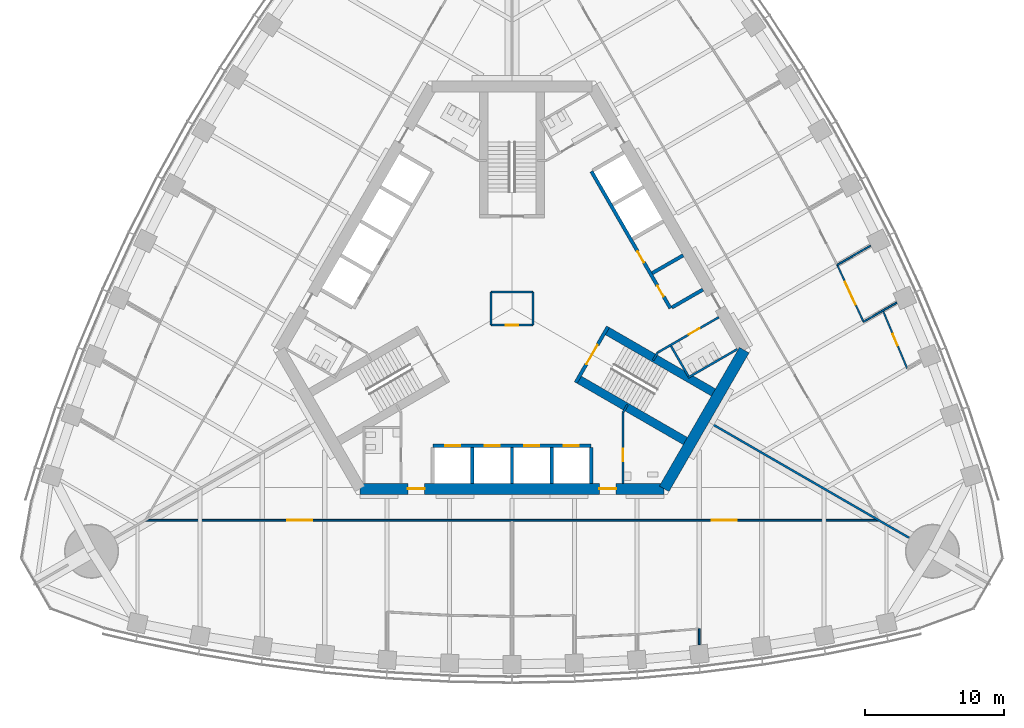
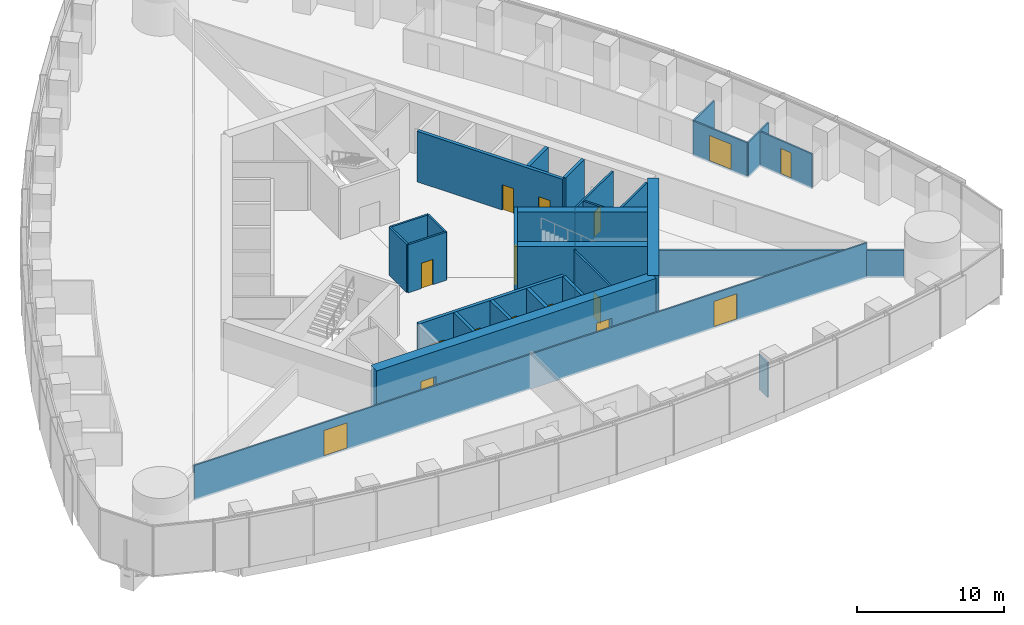
# One storey, part 12 of 19: 30 walls, 16 doors, 16 openings.
"""IFC4 building model written with IfcOpenShell, lengths in metres."""

from ifc_helpers import new_model, si_unit, direction, frame, frame_2d, origin, place, context, subcontext, project, spatial, rectangle, extrude, material, layer, layer_set, type_object, element, fill, save


model = new_model("IFC4")

# Units and contexts
model_context = context("Model", 3, precision=1e-05, world=origin(), true_north=direction((0.0, 1.0)))
body_context = subcontext(model_context, "Body", "Model", "MODEL_VIEW")
ifc_project = project(units=[si_unit("LENGTHUNIT", "METRE"), si_unit("AREAUNIT", "SQUARE_METRE"), si_unit("VOLUMEUNIT", "CUBIC_METRE"), si_unit("PLANEANGLEUNIT", "RADIAN"), si_unit("MASSUNIT", "GRAM", prefix="KILO")], contexts=[model_context])

# Site, building, storey
site_placement = place(None, origin())
site = spatial("IfcSite", under=ifc_project, at=site_placement, CompositionType="ELEMENT")
building_placement = place(site_placement, origin())
building = spatial("IfcBuilding", under=site, at=building_placement, Name="Trefoil Bronze Tower", CompositionType="ELEMENT")
storey_placement = place(building_placement, frame((0.0, 0.0, 119.89990234375)))
storey = spatial("IfcBuildingStorey", under=building, at=storey_placement, Name="L27", CompositionType="ELEMENT", Elevation=119.89990234375)

# Wall, openings, doors
ifc_material_1 = material(Name="Concrete B80", Category="concrete")
ifc_layer_1 = layer(ifc_material_1, 0.800048828125)
ifc_layer_set_1 = layer_set([ifc_layer_1], Name="Core wall 800")
wall_type_1 = type_object("IfcWallType", Name="Core wall 800", PredefinedType="SHEAR", material=ifc_layer_set_1)
wall_1_placement = place(storey_placement, frame((-10.9697265625, -13.0, 0.0), z_axis=(0.0, 0.0, 1.0), x_axis=(1.0, 0.0, 0.0)))
wall_1 = element("IfcWall", 1, at=wall_1_placement, inside=storey, type_object=wall_type_1, Name="Core long wall 1 L27", PredefinedType="SHEAR", context=body_context, shape_type="SweptSolid", body=[
    extrude(rectangle(XDim=21.939453125, YDim=0.800048828125, at=frame_2d((10.9697265625, 0.0))), origin(), (0.0, 0.0, 1.0), 4.2001953125),
])
opening_1_placement = place(wall_1_placement, frame((17.269775390625, 0.0, 0.0)))
opening_1 = element("IfcOpeningElement", 2, at=opening_1_placement, cuts=wall_1, Name="Opening D2", PredefinedType="OPENING", context=body_context, shape_type="SweptSolid", body=[
    extrude(rectangle(XDim=1.199951171875, YDim=2.10009765625, at=frame_2d((0.60009765625, 1.050048828125))), frame((0.0, 0.409912109375, 0.0), z_axis=(0.0, -1.0, 0.0), x_axis=(1.0, 0.0, 0.0)), (0.0, 0.0, 1.0), 0.820068359375),
])
opening_2_placement = place(wall_1_placement, frame((3.4697265625, 0.0, 0.0)))
opening_2 = element("IfcOpeningElement", 3, at=opening_2_placement, cuts=wall_1, Name="Opening D2", PredefinedType="OPENING", context=body_context, shape_type="SweptSolid", body=[
    extrude(rectangle(XDim=1.199951171875, YDim=2.10009765625, at=frame_2d((0.60009765625, 1.050048828125))), frame((0.0, 0.409912109375, 0.0), z_axis=(0.0, -1.0, 0.0), x_axis=(1.0, 0.0, 0.0)), (0.0, 0.0, 1.0), 0.820068359375),
])
ifc_material_2 = material(Name="Steel door", Category="steel")
door_type_1 = type_object("IfcDoorType", Name="Lobby door 1200", OperationType="SINGLE_SWING_RIGHT", PredefinedType="DOOR", material=ifc_material_2)
door_1_placement = place(opening_1_placement, origin())
door_1 = element("IfcDoor", 4, at=door_1_placement, inside=storey, type_object=door_type_1, Name="Lobby door F1+ L27", OperationType="SINGLE_SWING_RIGHT", OverallHeight=2.10009765625, OverallWidth=1.199951171875, PredefinedType="DOOR", context=body_context, shape_type="SweptSolid", body=[
    extrude(rectangle(XDim=1.199951171875, YDim=2.10009765625, at=frame_2d((0.60009765625, 1.050048828125))), frame((0.0, 0.02490234375, 0.0), z_axis=(0.0, -1.0, 0.0), x_axis=(1.0, 0.0, 0.0)), (0.0, 0.0, 1.0), 0.050048828125),
])
fill(opening_1, door_1)
door_2_placement = place(opening_2_placement, origin())
door_2 = element("IfcDoor", 5, at=door_2_placement, inside=storey, type_object=door_type_1, Name="Lobby door F1- L27", OperationType="SINGLE_SWING_LEFT", OverallHeight=2.10009765625, OverallWidth=1.199951171875, PredefinedType="DOOR", context=body_context, shape_type="SweptSolid", body=[
    extrude(rectangle(XDim=1.199951171875, YDim=2.10009765625, at=frame_2d((0.60009765625, 1.050048828125))), frame((0.0, 0.02490234375, 0.0), z_axis=(0.0, -1.0, 0.0), x_axis=(1.0, 0.0, 0.0)), (0.0, 0.0, 1.0), 0.050048828125),
])
fill(opening_2, door_2)

# Wall
wall_2_placement = place(storey_placement, frame((10.9697265625, -13.0, 0.0), z_axis=(0.0, 0.0, 1.0), x_axis=(0.499995765644, 0.866027848477, 0.0)))
element("IfcWall", 6, at=wall_2_placement, inside=storey, type_object=wall_type_1, Name="Core short wall 1 L27", PredefinedType="SHEAR", context=body_context, shape_type="SweptSolid", body=[
    extrude(rectangle(XDim=11.546875, YDim=0.800048828125, at=frame_2d((5.7734375, 0.0))), origin(), (0.0, 0.0, 1.0), 4.2001953125),
])

# Wall, openings, doors
ifc_material_3 = material(Name="Glazed partition", Category="glass")
ifc_layer_2 = layer(ifc_material_3, 0.1201171875)
ifc_layer_set_2 = layer_set([ifc_layer_2], Name="Glazed partition 120")
wall_type_2 = type_object("IfcWallType", Name="Glazed partition 120", PredefinedType="PARTITIONING", material=ifc_layer_set_2)
wall_3_placement = place(storey_placement, frame((-26.398193359375, -15.260009765625, 0.0), z_axis=(0.0, 0.0, 1.0), x_axis=(1.0, 0.0, 0.0)))
wall_3 = element("IfcWall", 7, at=wall_3_placement, inside=storey, type_object=wall_type_2, Name="Partition F1 L27", PredefinedType="PARTITIONING", context=body_context, shape_type="SweptSolid", body=[
    extrude(rectangle(XDim=52.79638671875, YDim=0.1201171875, at=frame_2d((26.398193359375, 0.0))), origin(), (0.0, 0.0, 1.0), 2.900146484375),
])
opening_3_placement = place(wall_3_placement, frame((10.199951171875, 0.0, 0.14990234375)))
opening_3 = element("IfcOpeningElement", 8, at=opening_3_placement, cuts=wall_3, Name="Opening D10", PredefinedType="OPENING", context=body_context, shape_type="SweptSolid", body=[
    extrude(rectangle(XDim=1.800048828125, YDim=2.10009765625, at=frame_2d((0.89990234375, 1.050048828125))), frame((0.0, 0.070068359375, 0.0), z_axis=(0.0, -1.0, 0.0), x_axis=(1.0, 0.0, 0.0)), (0.0, 0.0, 1.0), 0.14013671875),
])
opening_4_placement = place(wall_3_placement, frame((40.800048828125, 0.0, 0.14990234375)))
opening_4 = element("IfcOpeningElement", 9, at=opening_4_placement, cuts=wall_3, Name="Opening D10", PredefinedType="OPENING", context=body_context, shape_type="SweptSolid", body=[
    extrude(rectangle(XDim=1.800048828125, YDim=2.10009765625, at=frame_2d((0.89990234375, 1.050048828125))), frame((0.0, 0.070068359375, 0.0), z_axis=(0.0, -1.0, 0.0), x_axis=(1.0, 0.0, 0.0)), (0.0, 0.0, 1.0), 0.14013671875),
])
ifc_material_4 = material(Name="Timber door", Category="wood")
door_type_2 = type_object("IfcDoorType", Name="Double door 1800", OperationType="DOUBLE_DOOR_SINGLE_SWING", PredefinedType="DOOR", material=ifc_material_4)
door_3_placement = place(opening_3_placement, frame((1.800048828125, 0.0, 0.0), z_axis=(0.0, 0.0, 1.0), x_axis=(-1.0, 0.0, 0.0)))
door_3 = element("IfcDoor", 10, at=door_3_placement, inside=storey, type_object=door_type_2, Name="Corridor door F1 L27", OperationType="DOUBLE_DOOR_SINGLE_SWING", OverallHeight=2.10009765625, OverallWidth=1.800048828125, PredefinedType="DOOR", context=body_context, shape_type="SweptSolid", body=[
    extrude(rectangle(XDim=1.800048828125, YDim=2.10009765625, at=frame_2d((0.89990234375, 1.050048828125))), frame((0.0, 0.02490234375, 0.0), z_axis=(0.0, -1.0, 0.0), x_axis=(1.0, 0.0, 0.0)), (0.0, 0.0, 1.0), 0.050048828125),
])
fill(opening_3, door_3)
door_4_placement = place(opening_4_placement, frame((1.800048828125, 0.0, 0.0), z_axis=(0.0, 0.0, 1.0), x_axis=(-1.0, 0.0, 0.0)))
door_4 = element("IfcDoor", 11, at=door_4_placement, inside=storey, type_object=door_type_2, Name="Corridor door F1 L27", OperationType="DOUBLE_DOOR_SINGLE_SWING", OverallHeight=2.10009765625, OverallWidth=1.800048828125, PredefinedType="DOOR", context=body_context, shape_type="SweptSolid", body=[
    extrude(rectangle(XDim=1.800048828125, YDim=2.10009765625, at=frame_2d((0.89990234375, 1.050048828125))), frame((0.0, 0.02490234375, 0.0), z_axis=(0.0, -1.0, 0.0), x_axis=(1.0, 0.0, 0.0)), (0.0, 0.0, 1.0), 0.050048828125),
])
fill(opening_4, door_4)

# Wall
wall_4_placement = place(storey_placement, frame((13.5, -23.082763671875, 0.0), z_axis=(0.0, 0.0, 1.0), x_axis=(0.0, -1.0, 0.0)))
element("IfcWall", 12, at=wall_4_placement, inside=storey, type_object=wall_type_2, Name="Partition F1 L27", PredefinedType="PARTITIONING", context=body_context, shape_type="SweptSolid", body=[
    extrude(rectangle(XDim=1.146484375, YDim=0.1201171875, at=frame_2d((0.5732421875, 0.0))), origin(), (0.0, 0.0, 1.0), 2.900146484375),
])

# Wall, opening, door
wall_5_placement = place(storey_placement, frame((25.341552734375, -0.95751953125, 0.0), z_axis=(0.0, 0.0, 1.0), x_axis=(-0.419883773418, 0.907577884713, 0.0)))
wall_5 = element("IfcWall", 13, at=wall_5_placement, inside=storey, type_object=wall_type_2, Name="Partition F2 L27", PredefinedType="PARTITIONING", context=body_context, shape_type="SweptSolid", body=[
    extrude(rectangle(XDim=4.5185546875, YDim=0.1201171875, at=frame_2d((2.25927734375, 0.0))), origin(), (0.0, 0.0, 1.0), 2.900146484375),
])
opening_5_placement = place(wall_5_placement, frame((1.35009765625, 0.0, 0.14990234375)))
opening_5 = element("IfcOpeningElement", 14, at=opening_5_placement, cuts=wall_5, Name="Opening D10", PredefinedType="OPENING", context=body_context, shape_type="SweptSolid", body=[
    extrude(rectangle(XDim=1.800048828125, YDim=2.10009765625, at=frame_2d((0.89990234375, 1.050048828125))), frame((0.0, 0.070068359375, 0.0), z_axis=(0.0, -1.0, 0.0), x_axis=(1.0, 0.0, 0.0)), (0.0, 0.0, 1.0), 0.14013671875),
])
door_5_placement = place(opening_5_placement, frame((1.800048828125, 0.0, 0.0), z_axis=(0.0, 0.0, 1.0), x_axis=(-1.0, 0.0, 0.0)))
door_5 = element("IfcDoor", 15, at=door_5_placement, inside=storey, type_object=door_type_2, Name="Break room door F2 L27", OperationType="DOUBLE_DOOR_SINGLE_SWING", OverallHeight=2.10009765625, OverallWidth=1.800048828125, PredefinedType="DOOR", context=body_context, shape_type="SweptSolid", body=[
    extrude(rectangle(XDim=1.800048828125, YDim=2.10009765625, at=frame_2d((0.89990234375, 1.050048828125))), frame((0.0, 0.02490234375, 0.0), z_axis=(0.0, -1.0, 0.0), x_axis=(1.0, 0.0, 0.0)), (0.0, 0.0, 1.0), 0.050048828125),
])
fill(opening_5, door_5)

wall_6_placement = place(storey_placement, frame((28.49462890625, -4.333251953125, 0.0), z_axis=(0.0, 0.0, 1.0), x_axis=(-0.386742917128, 0.92218757097, 0.0)))
wall_6 = element("IfcWall", 16, at=wall_6_placement, inside=storey, type_object=wall_type_2, Name="Partition F2 L27", PredefinedType="PARTITIONING", context=body_context, shape_type="SweptSolid", body=[
    extrude(rectangle(XDim=4.536376953125, YDim=0.1201171875, at=frame_2d((2.26806640625, 0.0))), origin(), (0.0, 0.0, 1.0), 2.900146484375),
])
opening_6_placement = place(wall_6_placement, frame((1.800048828125, 0.0, 0.14990234375)))
opening_6 = element("IfcOpeningElement", 17, at=opening_6_placement, cuts=wall_6, Name="Opening D8", PredefinedType="OPENING", context=body_context, shape_type="SweptSolid", body=[
    extrude(rectangle(XDim=0.89990234375, YDim=2.10009765625, at=frame_2d((0.449951171875, 1.050048828125))), frame((0.0, 0.070068359375, 0.0), z_axis=(0.0, -1.0, 0.0), x_axis=(1.0, 0.0, 0.0)), (0.0, 0.0, 1.0), 0.14013671875),
])
ifc_material_5 = material(Name="Timber door", Category="wood")
door_type_3 = type_object("IfcDoorType", Name="Office door 900", OperationType="SINGLE_SWING_LEFT", PredefinedType="DOOR", material=ifc_material_5)
door_6_placement = place(opening_6_placement, frame((0.89990234375, 0.0, 0.0), z_axis=(0.0, 0.0, 1.0), x_axis=(-1.0, 0.0, 0.0)))
door_6 = element("IfcDoor", 18, at=door_6_placement, inside=storey, type_object=door_type_3, Name="Print and store room door F2 L27", OperationType="SINGLE_SWING_RIGHT", OverallHeight=2.10009765625, OverallWidth=0.89990234375, PredefinedType="DOOR", context=body_context, shape_type="SweptSolid", body=[
    extrude(rectangle(XDim=0.89990234375, YDim=2.10009765625, at=frame_2d((0.449951171875, 1.050048828125))), frame((0.0, 0.02490234375, 0.0), z_axis=(0.0, -1.0, 0.0), x_axis=(1.0, 0.0, 0.0)), (0.0, 0.0, 1.0), 0.050048828125),
])
fill(opening_6, door_6)

# Walls
wall_7_placement = place(storey_placement, frame((25.341552734375, -0.95751953125, 0.0), z_axis=(0.0, 0.0, 1.0), x_axis=(0.866014808974, 0.500018350302, 0.0)))
element("IfcWall", 19, at=wall_7_placement, inside=storey, type_object=wall_type_2, Name="Partition F2 L27", PredefinedType="PARTITIONING", context=body_context, shape_type="SweptSolid", body=[
    extrude(rectangle(XDim=2.76171875, YDim=0.1201171875, at=frame_2d((1.380859375, 0.0))), origin(), (0.0, 0.0, 1.0), 2.900146484375),
])
wall_8_placement = place(storey_placement, frame((23.4443359375, 3.143310546875, 0.0), z_axis=(0.0, 0.0, 1.0), x_axis=(0.866023907196, 0.500002592159, 0.0)))
element("IfcWall", 20, at=wall_8_placement, inside=storey, type_object=wall_type_2, Name="Partition F2 L27", PredefinedType="PARTITIONING", context=body_context, shape_type="SweptSolid", body=[
    extrude(rectangle(XDim=2.76611328125, YDim=0.1201171875, at=frame_2d((1.383056640625, 0.0))), origin(), (0.0, 0.0, 1.0), 2.900146484375),
])

# Wall, opening, door
ifc_material_6 = material(Name="Gypsum board on steel studs", Category="steel")
ifc_layer_3 = layer(ifc_material_6, 0.14990234375)
ifc_layer_set_3 = layer_set([ifc_layer_3], Name="Partition 150")
wall_type_3 = type_object("IfcWallType", Name="Partition 150", PredefinedType="PARTITIONING", material=ifc_layer_set_3)
wall_9_placement = place(storey_placement, frame((8.0, -7.5, 0.0), z_axis=(0.0, 0.0, 1.0), x_axis=(0.0, -1.0, 0.0)))
wall_9 = element("IfcWall", 21, at=wall_9_placement, inside=storey, type_object=wall_type_3, Name="Passage wall F1+ L27", PredefinedType="PARTITIONING", context=body_context, shape_type="SweptSolid", body=[
    extrude(rectangle(XDim=5.10009765625, YDim=0.14990234375, at=frame_2d((2.550048828125, 0.0))), origin(), (0.0, 0.0, 1.0), 4.0),
])
opening_7_placement = place(wall_9_placement, frame((2.60009765625, 0.0, 0.0)))
opening_7 = element("IfcOpeningElement", 22, at=opening_7_placement, cuts=wall_9, Name="Opening D3", PredefinedType="OPENING", context=body_context, shape_type="SweptSolid", body=[
    extrude(rectangle(XDim=0.89990234375, YDim=2.10009765625, at=frame_2d((0.449951171875, 1.050048828125))), frame((0.0, 0.0849609375, 0.0), z_axis=(0.0, -1.0, 0.0), x_axis=(1.0, 0.0, 0.0)), (0.0, 0.0, 1.0), 0.169921875),
])
ifc_material_7 = material(Name="Timber door", Category="wood")
door_type_4 = type_object("IfcDoorType", Name="WC door 900", OperationType="SINGLE_SWING_LEFT", PredefinedType="DOOR", material=ifc_material_7)
door_7_placement = place(opening_7_placement, origin())
door_7 = element("IfcDoor", 23, at=door_7_placement, inside=storey, type_object=door_type_4, Name="Accessible WC door L27", OperationType="SINGLE_SWING_RIGHT", OverallHeight=2.10009765625, OverallWidth=0.89990234375, PredefinedType="DOOR", context=body_context, shape_type="SweptSolid", body=[
    extrude(rectangle(XDim=0.89990234375, YDim=2.10009765625, at=frame_2d((0.449951171875, 1.050048828125))), frame((0.0, 0.02490234375, 0.0), z_axis=(0.0, -1.0, 0.0), x_axis=(1.0, 0.0, 0.0)), (0.0, 0.0, 1.0), 0.050048828125),
])
fill(opening_7, door_7)

wall_10_placement = place(storey_placement, frame((10.4951171875, -3.17822265625, 0.0), z_axis=(0.0, 0.0, 1.0), x_axis=(0.86602216432, 0.500005610874, 0.0)))
wall_10 = element("IfcWall", 24, at=wall_10_placement, inside=storey, type_object=wall_type_3, Name="Passage wall F2- L27", PredefinedType="PARTITIONING", context=body_context, shape_type="SweptSolid", body=[
    extrude(rectangle(XDim=5.10009765625, YDim=0.14990234375, at=frame_2d((2.550048828125, 0.0))), origin(), (0.0, 0.0, 1.0), 4.0),
])
opening_8_placement = place(wall_10_placement, frame((2.60009765625, 0.0, 0.0)))
opening_8 = element("IfcOpeningElement", 25, at=opening_8_placement, cuts=wall_10, Name="Opening D3", PredefinedType="OPENING", context=body_context, shape_type="SweptSolid", body=[
    extrude(rectangle(XDim=0.89990234375, YDim=2.10009765625, at=frame_2d((0.449951171875, 1.050048828125))), frame((0.0, 0.0849609375, 0.0), z_axis=(0.0, -1.0, 0.0), x_axis=(1.0, 0.0, 0.0)), (0.0, 0.0, 1.0), 0.169921875),
])
door_8_placement = place(opening_8_placement, frame((0.89990234375, 0.0, 0.0), z_axis=(0.0, 0.0, 1.0), x_axis=(-1.0, 0.0, 0.0)))
door_8 = element("IfcDoor", 26, at=door_8_placement, inside=storey, type_object=door_type_4, Name="WC (women) door L27", OperationType="SINGLE_SWING_RIGHT", OverallHeight=2.10009765625, OverallWidth=0.89990234375, PredefinedType="DOOR", context=body_context, shape_type="SweptSolid", body=[
    extrude(rectangle(XDim=0.89990234375, YDim=2.10009765625, at=frame_2d((0.449951171875, 1.050048828125))), frame((0.0, 0.02490234375, 0.0), z_axis=(0.0, -1.0, 0.0), x_axis=(1.0, 0.0, 0.0)), (0.0, 0.0, 1.0), 0.050048828125),
])
fill(opening_8, door_8)

# Walls
for number, where, z_axis, x_axis, name in (
    (27, (8.0, -7.5, 0.0), (0.0, 0.0, 1.0), (0.499842556608, 0.866116284689, 0.0), "WC wall ST1-1 L27"),
    (28, (10.4951171875, -3.17822265625, 0.0), (0.0, 0.0, 1.0), (-0.499842556608, -0.866116284689, 0.0), "WC wall ST1+1 L27"),
):
    element("IfcWall", number, at=place(storey_placement, frame(where, z_axis=z_axis, x_axis=x_axis)), inside=storey, type_object=wall_type_3, Name=name, PredefinedType="PARTITIONING", context=body_context, shape_type="SweptSolid", body=[
        extrude(rectangle(XDim=0.645263671875, YDim=0.14990234375, at=frame_2d((0.32275390625, 0.0))), origin(), (0.0, 0.0, 1.0), 4.0),
    ])
wall_11_placement = place(storey_placement, frame((12.691162109375, -4.98193359375, 0.0), z_axis=(0.0, 0.0, 1.0), x_axis=(0.8660249478, 0.500000789788, 0.0)))
element("IfcWall", 29, at=wall_11_placement, inside=storey, type_object=wall_type_3, Name="WC partition WC (women) L27", PredefinedType="PARTITIONING", context=body_context, shape_type="SweptSolid", body=[
    extrude(rectangle(XDim=4.10009765625, YDim=0.14990234375, at=frame_2d((2.050048828125, 0.0))), origin(), (0.0, 0.0, 1.0), 4.0),
])
wall_12_placement = place(storey_placement, frame((11.463623046875, -2.70556640625, 0.0), z_axis=(0.0, 0.0, 1.0), x_axis=(0.50001992892, -0.866013897511, 0.0)))
element("IfcWall", 30, at=wall_12_placement, inside=storey, type_object=wall_type_3, Name="WC partition WC (women) L27", PredefinedType="PARTITIONING", context=body_context, shape_type="SweptSolid", body=[
    extrude(rectangle(XDim=2.51025390625, YDim=0.14990234375, at=frame_2d((1.255126953125, 0.0))), origin(), (0.0, 0.0, 1.0), 4.0),
])
ifc_material_8 = material(Name="Gypsum board on steel studs", Category="steel")
ifc_layer_4 = layer(ifc_material_8, 0.14990234375)
ifc_layer_set_4 = layer_set([ifc_layer_4], Name="Party wall 150")
wall_type_4 = type_object("IfcWallType", Name="Party wall 150", PredefinedType="PARTITIONING", material=ifc_layer_set_4)
wall_13_placement = place(storey_placement, frame((14.202880859375, -8.199951171875, 0.0), z_axis=(0.0, 0.0, 1.0), x_axis=(0.866024668836, -0.500001272966, 0.0)))
element("IfcWall", 31, at=wall_13_placement, inside=storey, type_object=wall_type_4, Name="Party wall K1 L27", PredefinedType="PARTITIONING", context=body_context, shape_type="SweptSolid", body=[
    extrude(rectangle(XDim=16.64990234375, YDim=0.14990234375, at=frame_2d((8.324951171875, 0.0))), origin(), (0.0, 0.0, 1.0), 2.300048828125),
])

# Wall, opening, door
ifc_material_9 = material(Name="Gypsum board on steel studs", Category="steel")
ifc_layer_5 = layer(ifc_material_9, 0.14990234375)
ifc_layer_set_5 = layer_set([ifc_layer_5], Name="Riser wall 150")
wall_type_5 = type_object("IfcWallType", Name="Riser wall 150", PredefinedType="PARTITIONING", material=ifc_layer_set_5)
wall_14_placement = place(storey_placement, frame((-1.5, -1.199951171875, 0.0), z_axis=(0.0, 0.0, 1.0), x_axis=(1.0, 0.0, 0.0)))
wall_14 = element("IfcWall", 32, at=wall_14_placement, inside=storey, type_object=wall_type_5, Name="Riser wall L27", PredefinedType="PARTITIONING", context=body_context, shape_type="SweptSolid", body=[
    extrude(rectangle(XDim=3.0, YDim=0.14990234375, at=frame_2d((1.5, 0.0))), origin(), (0.0, 0.0, 1.0), 4.0),
])
opening_9_placement = place(wall_14_placement, frame((1.050048828125, 0.0, 0.0)))
opening_9 = element("IfcOpeningElement", 33, at=opening_9_placement, cuts=wall_14, Name="Opening D4", PredefinedType="OPENING", context=body_context, shape_type="SweptSolid", body=[
    extrude(rectangle(XDim=0.89990234375, YDim=2.10009765625, at=frame_2d((0.449951171875, 1.050048828125))), frame((0.0, 0.0849609375, 0.0), z_axis=(0.0, -1.0, 0.0), x_axis=(1.0, 0.0, 0.0)), (0.0, 0.0, 1.0), 0.169921875),
])
ifc_material_10 = material(Name="Steel door", Category="steel")
door_type_5 = type_object("IfcDoorType", Name="Riser door 900", OperationType="SINGLE_SWING_LEFT", PredefinedType="DOOR", material=ifc_material_10)
door_9_placement = place(opening_9_placement, frame((0.89990234375, 0.0, 0.0), z_axis=(0.0, 0.0, 1.0), x_axis=(-1.0, 0.0, 0.0)))
door_9 = element("IfcDoor", 34, at=door_9_placement, inside=storey, type_object=door_type_5, Name="Riser door L27", OperationType="SINGLE_SWING_LEFT", OverallHeight=2.10009765625, OverallWidth=0.89990234375, PredefinedType="DOOR", context=body_context, shape_type="SweptSolid", body=[
    extrude(rectangle(XDim=0.89990234375, YDim=2.10009765625, at=frame_2d((0.449951171875, 1.050048828125))), frame((0.0, 0.02490234375, 0.0), z_axis=(0.0, -1.0, 0.0), x_axis=(1.0, 0.0, 0.0)), (0.0, 0.0, 1.0), 0.050048828125),
])
fill(opening_9, door_9)

# Walls
wall_15_placement = place(storey_placement, frame((1.5, -1.199951171875, 0.0), z_axis=(0.0, 0.0, 1.0), x_axis=(0.0, 1.0, 0.0)))
element("IfcWall", 35, at=wall_15_placement, inside=storey, type_object=wall_type_5, Name="Riser wall L27", PredefinedType="PARTITIONING", context=body_context, shape_type="SweptSolid", body=[
    extrude(rectangle(XDim=2.39990234375, YDim=0.14990234375, at=frame_2d((1.199951171875, 0.0))), origin(), (0.0, 0.0, 1.0), 4.0),
])
wall_16_placement = place(storey_placement, frame((1.5, 1.199951171875, 0.0), z_axis=(0.0, 0.0, 1.0), x_axis=(-1.0, 0.0, 0.0)))
element("IfcWall", 36, at=wall_16_placement, inside=storey, type_object=wall_type_5, Name="Riser wall L27", PredefinedType="PARTITIONING", context=body_context, shape_type="SweptSolid", body=[
    extrude(rectangle(XDim=3.0, YDim=0.14990234375, at=frame_2d((1.5, 0.0))), origin(), (0.0, 0.0, 1.0), 4.0),
])
wall_17_placement = place(storey_placement, frame((-1.5, 1.199951171875, 0.0), z_axis=(0.0, 0.0, 1.0), x_axis=(0.0, -1.0, 0.0)))
element("IfcWall", 37, at=wall_17_placement, inside=storey, type_object=wall_type_5, Name="Riser wall L27", PredefinedType="PARTITIONING", context=body_context, shape_type="SweptSolid", body=[
    extrude(rectangle(XDim=2.39990234375, YDim=0.14990234375, at=frame_2d((1.199951171875, 0.0))), origin(), (0.0, 0.0, 1.0), 4.0),
])

# Wall, openings, doors
ifc_material_11 = material(Name="Concrete B80", Category="concrete")
ifc_layer_6 = layer(ifc_material_11, 0.25)
ifc_layer_set_6 = layer_set([ifc_layer_6], Name="Shaft wall 250")
wall_type_6 = type_object("IfcWallType", Name="Shaft wall 250", PredefinedType="SHEAR", material=ifc_layer_set_6)
wall_18_placement = place(storey_placement, frame((-5.699951171875, -9.89990234375, 0.0), z_axis=(0.0, 0.0, 1.0), x_axis=(1.0, 0.0, 0.0)))
wall_18 = element("IfcWall", 38, at=wall_18_placement, inside=storey, type_object=wall_type_6, Name="Lift shaft front wall A L27", PredefinedType="SHEAR", context=body_context, shape_type="SweptSolid", body=[
    extrude(rectangle(XDim=11.39990234375, YDim=0.25, at=frame_2d((5.699951171875, 0.0))), origin(), (0.0, 0.0, 1.0), 4.2001953125),
])
opening_10_placement = place(wall_18_placement, frame((0.875, 0.0, 0.0)))
opening_10 = element("IfcOpeningElement", 39, at=opening_10_placement, cuts=wall_18, Name="Opening LD-P21", PredefinedType="OPENING", context=body_context, shape_type="SweptSolid", body=[
    extrude(rectangle(XDim=1.10009765625, YDim=2.199951171875, at=frame_2d((0.550048828125, 1.10009765625))), frame((0.0, 0.135009765625, 0.0), z_axis=(0.0, -1.0, 0.0), x_axis=(1.0, 0.0, 0.0)), (0.0, 0.0, 1.0), 0.27001953125),
])
opening_11_placement = place(wall_18_placement, frame((3.72509765625, 0.0, 0.0)))
opening_11 = element("IfcOpeningElement", 40, at=opening_11_placement, cuts=wall_18, Name="Opening LD-P22", PredefinedType="OPENING", context=body_context, shape_type="SweptSolid", body=[
    extrude(rectangle(XDim=1.10009765625, YDim=2.199951171875, at=frame_2d((0.550048828125, 1.10009765625))), frame((0.0, 0.135009765625, 0.0), z_axis=(0.0, -1.0, 0.0), x_axis=(1.0, 0.0, 0.0)), (0.0, 0.0, 1.0), 0.27001953125),
])
opening_12_placement = place(wall_18_placement, frame((6.574951171875, 0.0, 0.0)))
opening_12 = element("IfcOpeningElement", 41, at=opening_12_placement, cuts=wall_18, Name="Opening LD-P23", PredefinedType="OPENING", context=body_context, shape_type="SweptSolid", body=[
    extrude(rectangle(XDim=1.10009765625, YDim=2.199951171875, at=frame_2d((0.550048828125, 1.10009765625))), frame((0.0, 0.135009765625, 0.0), z_axis=(0.0, -1.0, 0.0), x_axis=(1.0, 0.0, 0.0)), (0.0, 0.0, 1.0), 0.27001953125),
])
opening_13_placement = place(wall_18_placement, frame((9.425048828125, 0.0, 0.0)))
opening_13 = element("IfcOpeningElement", 42, at=opening_13_placement, cuts=wall_18, Name="Opening LD-P24", PredefinedType="OPENING", context=body_context, shape_type="SweptSolid", body=[
    extrude(rectangle(XDim=1.10009765625, YDim=2.199951171875, at=frame_2d((0.550048828125, 1.10009765625))), frame((0.0, 0.135009765625, 0.0), z_axis=(0.0, -1.0, 0.0), x_axis=(1.0, 0.0, 0.0)), (0.0, 0.0, 1.0), 0.27001953125),
])
ifc_material_12 = material(Name="Steel door", Category="steel")
door_type_6 = type_object("IfcDoorType", Name="Lift landing door 1100", OperationType="DOUBLE_DOOR_SLIDING", PredefinedType="DOOR", material=ifc_material_12)
door_10_placement = place(opening_10_placement, origin())
door_10 = element("IfcDoor", 43, at=door_10_placement, inside=storey, type_object=door_type_6, Name="Lift P21 landing door L27", OperationType="DOUBLE_DOOR_SLIDING", OverallHeight=2.199951171875, OverallWidth=1.10009765625, PredefinedType="DOOR", context=body_context, shape_type="SweptSolid", body=[
    extrude(rectangle(XDim=1.10009765625, YDim=2.199951171875, at=frame_2d((0.550048828125, 1.10009765625))), frame((0.0, 0.02490234375, 0.0), z_axis=(0.0, -1.0, 0.0), x_axis=(1.0, 0.0, 0.0)), (0.0, 0.0, 1.0), 0.050048828125),
])
fill(opening_10, door_10)
door_11_placement = place(opening_11_placement, origin())
door_11 = element("IfcDoor", 44, at=door_11_placement, inside=storey, type_object=door_type_6, Name="Lift P22 landing door L27", OperationType="DOUBLE_DOOR_SLIDING", OverallHeight=2.199951171875, OverallWidth=1.10009765625, PredefinedType="DOOR", context=body_context, shape_type="SweptSolid", body=[
    extrude(rectangle(XDim=1.10009765625, YDim=2.199951171875, at=frame_2d((0.550048828125, 1.10009765625))), frame((0.0, 0.02490234375, 0.0), z_axis=(0.0, -1.0, 0.0), x_axis=(1.0, 0.0, 0.0)), (0.0, 0.0, 1.0), 0.050048828125),
])
fill(opening_11, door_11)
door_12_placement = place(opening_12_placement, origin())
door_12 = element("IfcDoor", 45, at=door_12_placement, inside=storey, type_object=door_type_6, Name="Lift P23 landing door L27", OperationType="DOUBLE_DOOR_SLIDING", OverallHeight=2.199951171875, OverallWidth=1.10009765625, PredefinedType="DOOR", context=body_context, shape_type="SweptSolid", body=[
    extrude(rectangle(XDim=1.10009765625, YDim=2.199951171875, at=frame_2d((0.550048828125, 1.10009765625))), frame((0.0, 0.02490234375, 0.0), z_axis=(0.0, -1.0, 0.0), x_axis=(1.0, 0.0, 0.0)), (0.0, 0.0, 1.0), 0.050048828125),
])
fill(opening_12, door_12)
door_13_placement = place(opening_13_placement, origin())
door_13 = element("IfcDoor", 46, at=door_13_placement, inside=storey, type_object=door_type_6, Name="Lift P24 landing door L27", OperationType="DOUBLE_DOOR_SLIDING", OverallHeight=2.199951171875, OverallWidth=1.10009765625, PredefinedType="DOOR", context=body_context, shape_type="SweptSolid", body=[
    extrude(rectangle(XDim=1.10009765625, YDim=2.199951171875, at=frame_2d((0.550048828125, 1.10009765625))), frame((0.0, 0.02490234375, 0.0), z_axis=(0.0, -1.0, 0.0), x_axis=(1.0, 0.0, 0.0)), (0.0, 0.0, 1.0), 0.050048828125),
])
fill(opening_13, door_13)

# Walls
for number, where, z_axis, x_axis, name in (
    (47, (-2.85009765625, -10.02490234375, 0.0), (0.0, 0.0, 1.0), (0.0, -1.0, 0.0), "Lift shaft side wall A1 L27"),
    (48, (0.0, -10.02490234375, 0.0), (0.0, 0.0, 1.0), (0.0, -1.0, 0.0), "Lift shaft side wall A2 L27"),
    (49, (2.85009765625, -10.02490234375, 0.0), (0.0, 0.0, 1.0), (0.0, -1.0, 0.0), "Lift shaft side wall A3 L27"),
    (50, (5.699951171875, -10.02490234375, 0.0), (0.0, 0.0, 1.0), (0.0, -1.0, 0.0), "Lift shaft side wall A4 L27"),
):
    element("IfcWall", number, at=place(storey_placement, frame(where, z_axis=z_axis, x_axis=x_axis)), inside=storey, type_object=wall_type_6, Name=name, PredefinedType="SHEAR", context=body_context, shape_type="SweptSolid", body=[
        extrude(rectangle(XDim=2.5751953125, YDim=0.25, at=frame_2d((1.28759765625, 0.0))), origin(), (0.0, 0.0, 1.0), 4.2001953125),
    ])

# Wall, openings, doors
wall_19_placement = place(storey_placement, frame((11.423583984375, 0.013671875, 0.0), z_axis=(0.0, 0.0, 1.0), x_axis=(-0.500001763848, 0.866024385424, 0.0)))
wall_19 = element("IfcWall", 51, at=wall_19_placement, inside=storey, type_object=wall_type_6, Name="Lift shaft front wall B L27", PredefinedType="SHEAR", context=body_context, shape_type="SweptSolid", body=[
    extrude(rectangle(XDim=11.39990234375, YDim=0.25, at=frame_2d((5.699951171875, 0.0))), origin(), (0.0, 0.0, 1.0), 4.2001953125),
])
opening_14_placement = place(wall_19_placement, frame((0.97509765625, 0.0, 0.0)))
opening_14 = element("IfcOpeningElement", 52, at=opening_14_placement, cuts=wall_19, Name="Opening D12", PredefinedType="OPENING", context=body_context, shape_type="SweptSolid", body=[
    extrude(rectangle(XDim=0.89990234375, YDim=2.10009765625, at=frame_2d((0.449951171875, 1.050048828125))), frame((0.0, 0.135009765625, 0.0), z_axis=(0.0, -1.0, 0.0), x_axis=(1.0, 0.0, 0.0)), (0.0, 0.0, 1.0), 0.27001953125),
])
opening_15_placement = place(wall_19_placement, frame((3.824951171875, 0.0, 0.0)))
opening_15 = element("IfcOpeningElement", 53, at=opening_15_placement, cuts=wall_19, Name="Opening D12", PredefinedType="OPENING", context=body_context, shape_type="SweptSolid", body=[
    extrude(rectangle(XDim=0.89990234375, YDim=2.10009765625, at=frame_2d((0.449951171875, 1.050048828125))), frame((0.0, 0.135009765625, 0.0), z_axis=(0.0, -1.0, 0.0), x_axis=(1.0, 0.0, 0.0)), (0.0, 0.0, 1.0), 0.27001953125),
])
ifc_material_13 = material(Name="Steel door", Category="steel")
door_type_7 = type_object("IfcDoorType", Name="Shaft room door 900", OperationType="SINGLE_SWING_LEFT", PredefinedType="DOOR", material=ifc_material_13)
door_14_placement = place(opening_14_placement, frame((0.89990234375, 0.0, 0.0), z_axis=(0.0, 0.0, 1.0), x_axis=(-1.0, 0.0, 0.0)))
door_14 = element("IfcDoor", 54, at=door_14_placement, inside=storey, type_object=door_type_7, Name="Shaft room door B1 L27", OperationType="SINGLE_SWING_LEFT", OverallHeight=2.10009765625, OverallWidth=0.89990234375, PredefinedType="DOOR", context=body_context, shape_type="SweptSolid", body=[
    extrude(rectangle(XDim=0.89990234375, YDim=2.10009765625, at=frame_2d((0.449951171875, 1.050048828125))), frame((0.0, 0.02490234375, 0.0), z_axis=(0.0, -1.0, 0.0), x_axis=(1.0, 0.0, 0.0)), (0.0, 0.0, 1.0), 0.050048828125),
])
fill(opening_14, door_14)
door_15_placement = place(opening_15_placement, frame((0.89990234375, 0.0, 0.0), z_axis=(0.0, 0.0, 1.0), x_axis=(-1.0, 0.0, 0.0)))
door_15 = element("IfcDoor", 55, at=door_15_placement, inside=storey, type_object=door_type_7, Name="Shaft room door B2 L27", OperationType="SINGLE_SWING_RIGHT", OverallHeight=2.10009765625, OverallWidth=0.89990234375, PredefinedType="DOOR", context=body_context, shape_type="SweptSolid", body=[
    extrude(rectangle(XDim=0.89990234375, YDim=2.10009765625, at=frame_2d((0.449951171875, 1.050048828125))), frame((0.0, 0.02490234375, 0.0), z_axis=(0.0, -1.0, 0.0), x_axis=(1.0, 0.0, 0.0)), (0.0, 0.0, 1.0), 0.050048828125),
])
fill(opening_15, door_15)

# Walls
for number, where, z_axis, x_axis, name in (
    (56, (11.531982421875, 0.076171875, 0.0), (0.0, 0.0, 1.0), (0.866005588531, 0.500034319456, 0.0), "Lift shaft side wall B0 L27"),
    (57, (10.10693359375, 2.54443359375, 0.0), (0.0, 0.0, 1.0), (0.866046643894, 0.499963209246, 0.0), "Lift shaft side wall B1 L27"),
):
    element("IfcWall", number, at=place(storey_placement, frame(where, z_axis=z_axis, x_axis=x_axis)), inside=storey, type_object=wall_type_6, Name=name, PredefinedType="SHEAR", context=body_context, shape_type="SweptSolid", body=[
        extrude(rectangle(XDim=2.574951171875, YDim=0.25, at=frame_2d((1.28759765625, 0.0))), origin(), (0.0, 0.0, 1.0), 4.2001953125),
    ])

# Wall, opening, door
wall_20_placement = place(storey_placement, frame((4.5966796875, -5.338623046875, 0.0), z_axis=(0.0, 0.0, 1.0), x_axis=(0.499984536904, 0.866034331223, 0.0)))
wall_20 = element("IfcWall", 58, at=wall_20_placement, inside=storey, type_object=wall_type_6, Name="Stair end wall ST1 L27", PredefinedType="SHEAR", context=body_context, shape_type="SweptSolid", body=[
    extrude(rectangle(XDim=4.650146484375, YDim=0.25, at=frame_2d((2.3251953125, 0.0))), origin(), (0.0, 0.0, 1.0), 4.2001953125),
])
opening_16_placement = place(wall_20_placement, frame((1.52490234375, 0.0, 0.0)))
opening_16 = element("IfcOpeningElement", 59, at=opening_16_placement, cuts=wall_20, Name="Opening D1", PredefinedType="OPENING", context=body_context, shape_type="SweptSolid", body=[
    extrude(rectangle(XDim=1.60009765625, YDim=2.10009765625, at=frame_2d((0.800048828125, 1.050048828125))), frame((0.0, 0.135009765625, 0.0), z_axis=(0.0, -1.0, 0.0), x_axis=(1.0, 0.0, 0.0)), (0.0, 0.0, 1.0), 0.27001953125),
])
ifc_material_14 = material(Name="Steel door", Category="steel")
door_type_8 = type_object("IfcDoorType", Name="Stair door 1600", OperationType="DOUBLE_DOOR_SINGLE_SWING", PredefinedType="DOOR", material=ifc_material_14)
door_16_placement = place(opening_16_placement, frame((1.60009765625, 0.0, 0.0), z_axis=(0.0, 0.0, 1.0), x_axis=(-1.0, 0.0, 0.0)))
door_16 = element("IfcDoor", 60, at=door_16_placement, inside=storey, type_object=door_type_8, Name="Stair door ST1 L27", OperationType="DOUBLE_DOOR_SINGLE_SWING", OverallHeight=2.10009765625, OverallWidth=1.60009765625, PredefinedType="DOOR", context=body_context, shape_type="SweptSolid", body=[
    extrude(rectangle(XDim=1.60009765625, YDim=2.10009765625, at=frame_2d((0.800048828125, 1.050048828125))), frame((0.0, 0.02490234375, 0.0), z_axis=(0.0, -1.0, 0.0), x_axis=(1.0, 0.0, 0.0)), (0.0, 0.0, 1.0), 0.050048828125),
])
fill(opening_16, door_16)

# Walls
ifc_material_15 = material(Name="Concrete B80", Category="concrete")
ifc_layer_7 = layer(ifc_material_15, 0.60009765625)
ifc_layer_set_7 = layer_set([ifc_layer_7], Name="Stair wall 600")
wall_type_7 = type_object("IfcWallType", Name="Stair wall 600", PredefinedType="SHEAR", material=ifc_layer_set_7)
for number, where, z_axis, x_axis, name in (
    (61, (4.638427734375, -5.01611328125, 0.0), (0.0, 0.0, 1.0), (0.866019375473, -0.500010441196, 0.0), "Stair wall ST1 L27"),
    (62, (6.663330078125, -1.5087890625, 0.0), (0.0, 0.0, 1.0), (0.866019375473, -0.500010441196, 0.0), "Stair wall ST1 L27"),
):
    element("IfcWall", number, at=place(storey_placement, frame(where, z_axis=z_axis, x_axis=x_axis)), inside=storey, type_object=wall_type_7, Name=name, PredefinedType="SHEAR", context=body_context, shape_type="SweptSolid", body=[
        extrude(rectangle(XDim=9.074951171875, YDim=0.60009765625, at=frame_2d((4.53759765625, 0.0))), origin(), (0.0, 0.0, 1.0), 4.2001953125),
    ])

save(model, "model.ifc")
